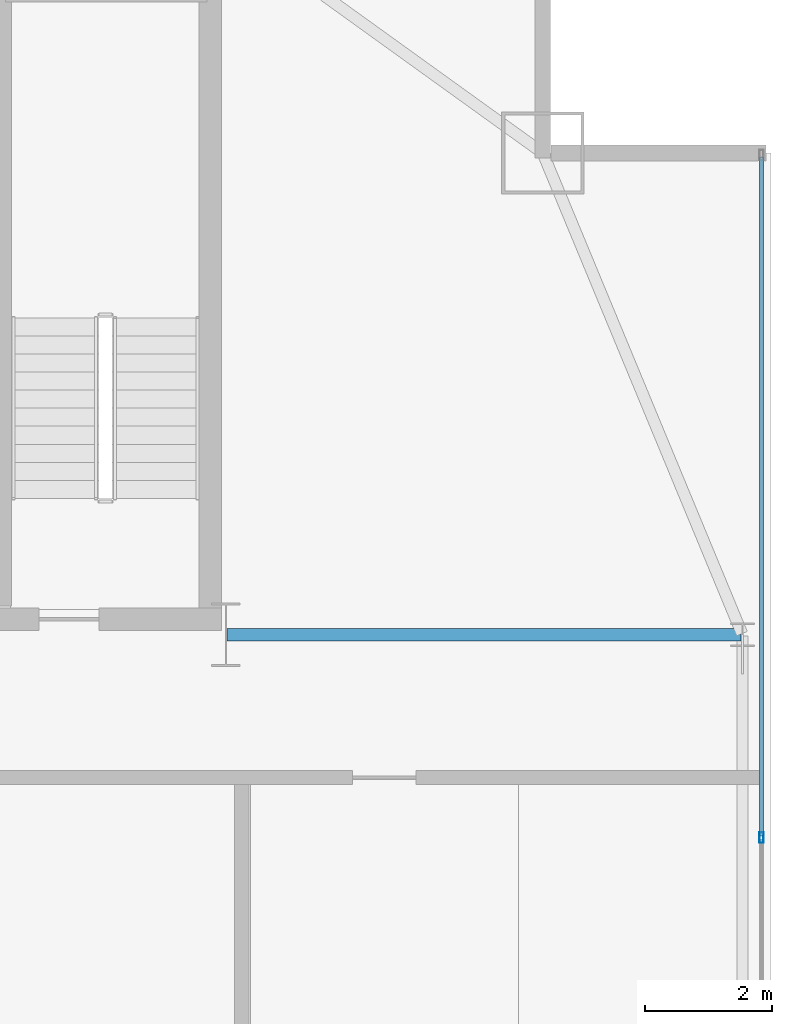
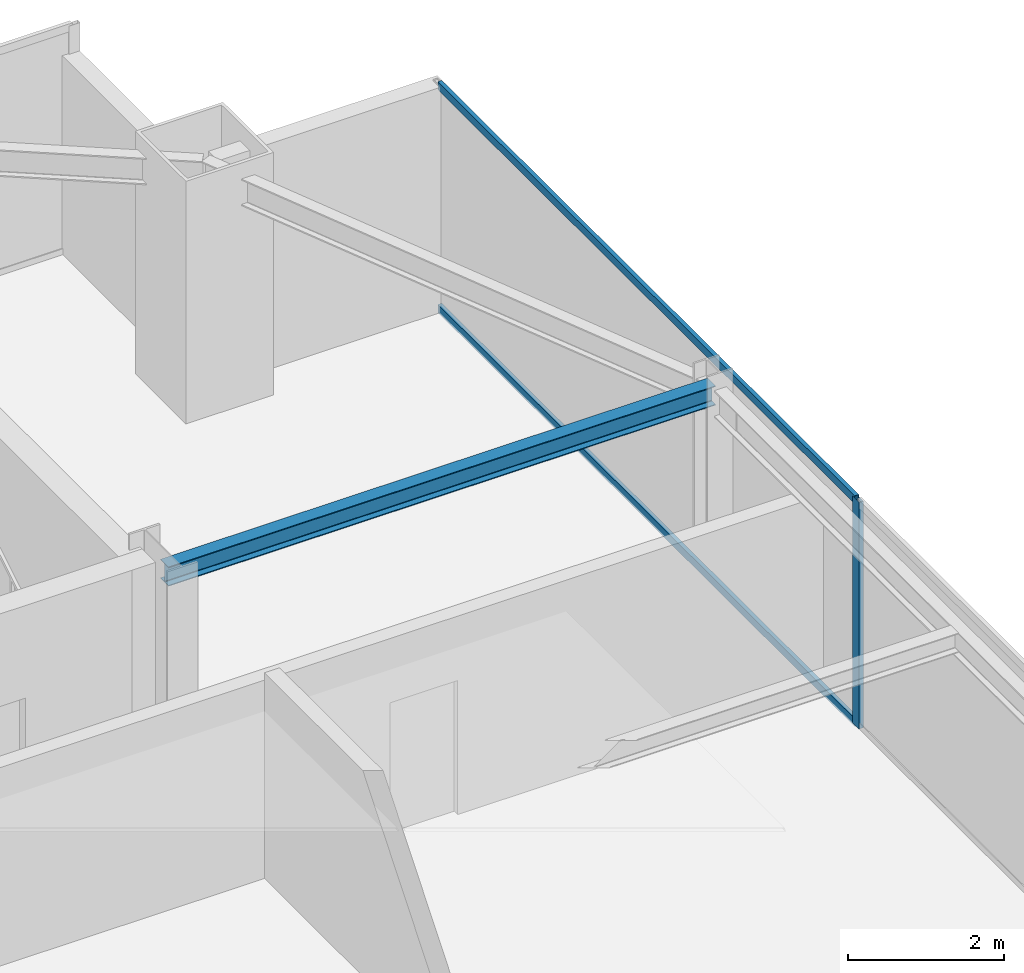
# One storey, part 19 of 29: 3 members, 1 beam, 1 element without a shape of its own.
"""IFC4 building model written with IfcOpenShell, lengths in metres."""

from ifc_helpers import new_model, si_unit, direction, frame, origin, origin_2d, place, context, subcontext, project, spatial, hollow_rectangle, i_section, extrude, source, transform, mapped, material, layer, layer_set, material_profile, profile_set, type_object, type_shapes, element, aggregate, save


model = new_model("IFC4")

# Units and contexts
model_context = context("Model", 3, precision=1e-05, world=origin(), true_north=direction((0.0, 1.0)))
body_context = subcontext(model_context, "Body", "Model", "MODEL_VIEW")
ifc_project = project(units=[si_unit("LENGTHUNIT", "METRE"), si_unit("AREAUNIT", "SQUARE_METRE"), si_unit("VOLUMEUNIT", "CUBIC_METRE"), si_unit("PLANEANGLEUNIT", "RADIAN"), si_unit("MASSUNIT", "GRAM", prefix="KILO")], contexts=[model_context])

# Site, building, storey
site_placement = place(None, origin())
site = spatial("IfcSite", under=ifc_project, at=site_placement, CompositionType="ELEMENT")
building_placement = place(site_placement, origin())
building = spatial("IfcBuilding", under=site, at=building_placement, Name="Varnel Quay Broadcast Tower", CompositionType="ELEMENT")
storey_placement = place(building_placement, frame((0.0, 0.0, 172.39990234375)))
storey = spatial("IfcBuildingStorey", under=building, at=storey_placement, Name="L42", CompositionType="ELEMENT", Elevation=172.39990234375)

# Beam
ifc_material_1 = material(Name="Structural Steel CSA G40.21 350W", Category="steel")
ifc_material_profile_1 = material_profile(ifc_material_1, i_section(OverallWidth=0.202880859375, OverallDepth=0.302978515625, WebThickness=0.007568359375, FlangeThickness=0.01318359375, FilletRadius=0.011962890625, at=origin_2d()), Name="W310X60")
ifc_profile_set_1 = profile_set([ifc_material_profile_1], Name="Structural Steel CSA G40.21 350W")
beam_type = type_object("IfcBeamType", Name="Beam_W310X60", PredefinedType="JOIST", material=ifc_profile_set_1)
shared_shape_1 = source(origin(), body_context, "Body", "SweptSolid", [
    extrude(i_section(OverallWidth=0.202880859375, OverallDepth=0.302978515625, WebThickness=0.007568359375, FlangeThickness=0.01318359375, FilletRadius=0.011962890625, at=origin_2d()), origin(), (0.0, 0.0, 1.0), 8.110107421875),
])
type_shapes(beam_type, [shared_shape_1])
beam_placement = place(storey_placement, frame((52.419921875, 35.60009765625, 3.398681640625), z_axis=(1.0, 0.0, 0.0), x_axis=(0.0, 1.0, 0.0)))
element("IfcBeam", 1, at=beam_placement, inside=storey, type_object=beam_type, Name="L42 East Core Tie Joist", PredefinedType="JOIST", context=body_context, shape_type="MappedRepresentation", body=[
    mapped(shared_shape_1, transform((0.0, 0.0, 0.0), x_axis=(1.0, 0.0, 0.0), y_axis=(0.0, 1.0, 0.0), z_axis=(0.0, 0.0, 1.0), scale=1.0)),
])

# Curtain wall, members
ifc_material_2 = material(Name="Anodised Bronze Aluminium 6063-T6", Category="aluminium")
ifc_layer = layer(ifc_material_2, 0.18994140625, Name="Anodised Bronze Aluminium 6063-T6")
ifc_layer_set = layer_set([ifc_layer], Name="Anodised Bronze Aluminium 6063-T6")
curtain_wall_type = type_object("IfcCurtainWallType", Name="CW_UpperTower", PredefinedType="NOTDEFINED", material=ifc_layer_set)
curtain_wall_placement = place(storey_placement, origin())
curtain_wall = element("IfcCurtainWall", 2, at=curtain_wall_placement, inside=storey, type_object=curtain_wall_type, Name="L42 East Unitised Curtain Wall", PredefinedType="NOTDEFINED")
ifc_material_profile_2 = material_profile(ifc_material_2, hollow_rectangle(XDim=0.06494140625, YDim=0.1650390625, WallThickness=0.00341796875, at=origin_2d()), Name="ALU65X165X3.5")
ifc_profile_set_2 = profile_set([ifc_material_profile_2], Name="Anodised Bronze Aluminium 6063-T6")
member_type_1 = type_object("IfcMemberType", Name="Mull_CWS-03", PredefinedType="MULLION", material=ifc_profile_set_2)
shared_shape_2 = source(origin(), body_context, "Body", "SweptSolid", [
    extrude(hollow_rectangle(XDim=0.06494140625, YDim=0.1650390625, WallThickness=0.00341796875, at=origin_2d()), origin(), (0.0, 0.0, 1.0), 3.550048828125),
])
type_shapes(member_type_1, [shared_shape_2])
member_1_placement = place(storey_placement, frame((60.85009765625, 32.39990234375, 0.0), z_axis=(0.0, 0.0, 1.0), x_axis=(-1.0, 0.0, 0.0)))
member_1 = element("IfcMember", 3, at=member_1_placement, type_object=member_type_1, Name="CWS-03 mullion 3", PredefinedType="MULLION", context=body_context, shape_type="MappedRepresentation", body=[
    mapped(shared_shape_2, transform((0.0, 0.0, 0.0), x_axis=(1.0, 0.0, 0.0), y_axis=(0.0, 1.0, 0.0), z_axis=(0.0, 0.0, 1.0), scale=1.0)),
])
ifc_material_profile_3 = material_profile(ifc_material_2, hollow_rectangle(XDim=0.06005859375, YDim=0.125, WallThickness=0.0029296875, at=origin_2d()), Name="ALU60X125X3")
ifc_profile_set_3 = profile_set([ifc_material_profile_3], Name="Anodised Bronze Aluminium 6063-T6")
member_type_2 = type_object("IfcMemberType", Name="Tran_CWS-03", PredefinedType="USERDEFINED", material=ifc_profile_set_3)
shared_shape_3 = source(origin(), body_context, "Body", "SweptSolid", [
    extrude(hollow_rectangle(XDim=0.06005859375, YDim=0.125, WallThickness=0.0029296875, at=origin_2d()), origin(), (0.0, 0.0, 1.0), 10.702392578125),
])
type_shapes(member_type_2, [shared_shape_3])
member_2_placement = place(storey_placement, frame((60.85009765625, 32.4326171875, 0.030029296875), z_axis=(0.0, 1.0, 0.0), x_axis=(-1.0, 0.0, 0.0)))
member_2 = element("IfcMember", 4, at=member_2_placement, type_object=member_type_2, Name="CWS-03 transom 3.1", ObjectType="TRANSOM", PredefinedType="USERDEFINED", context=body_context, shape_type="MappedRepresentation", body=[
    mapped(shared_shape_3, transform((0.0, 0.0, 0.0), x_axis=(1.0, 0.0, 0.0), y_axis=(0.0, 1.0, 0.0), z_axis=(0.0, 0.0, 1.0), scale=1.0)),
])
member_3_placement = place(storey_placement, frame((60.85009765625, 32.4326171875, 3.52001953125), z_axis=(0.0, 1.0, 0.0), x_axis=(-1.0, 0.0, 0.0)))
member_3 = element("IfcMember", 5, at=member_3_placement, type_object=member_type_2, Name="CWS-03 transom 3.2", ObjectType="TRANSOM", PredefinedType="USERDEFINED", context=body_context, shape_type="MappedRepresentation", body=[
    mapped(shared_shape_3, transform((0.0, 0.0, 0.0), x_axis=(1.0, 0.0, 0.0), y_axis=(0.0, 1.0, 0.0), z_axis=(0.0, 0.0, 1.0), scale=1.0)),
])
aggregate(curtain_wall, [member_1, member_2, member_3])

save(model, "model.ifc")
